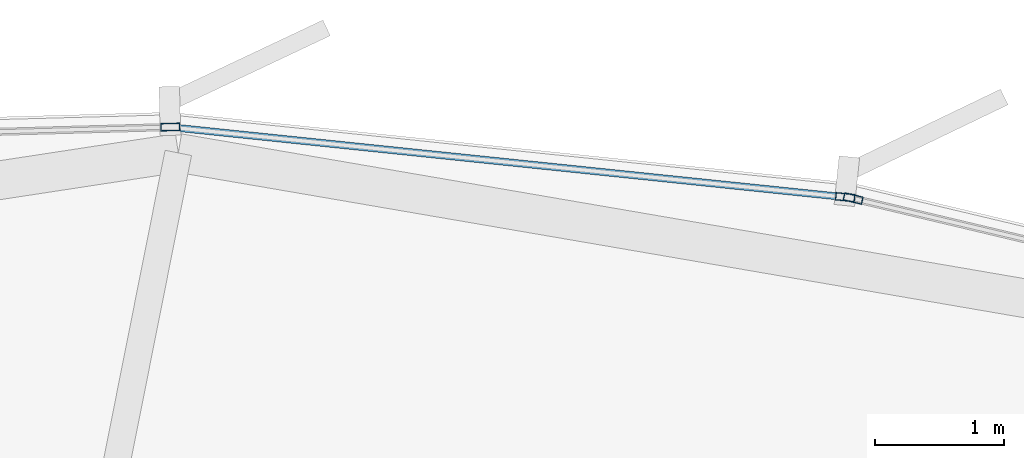
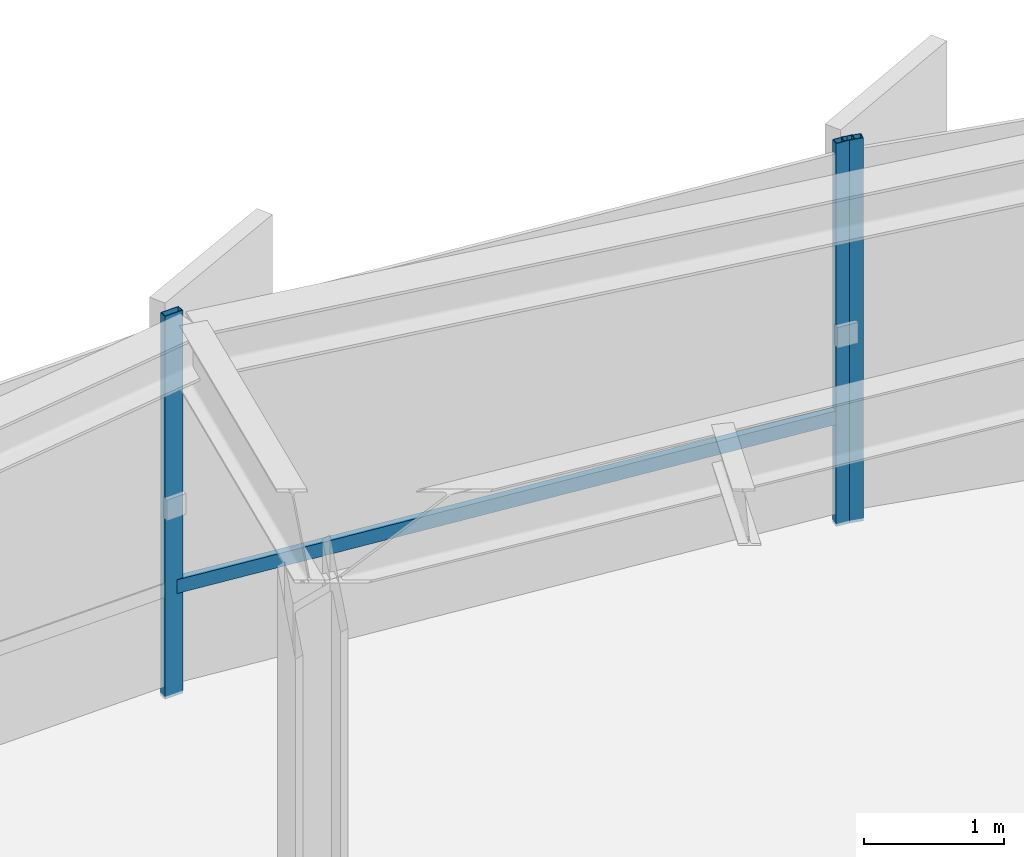
# One storey, part 27 of 35: 4 members, 2 elements without a shape of their own.
"""IFC4 building model written with IfcOpenShell, lengths in metres."""

from ifc_helpers import new_model, si_unit, direction, frame, origin, origin_2d, place, context, subcontext, project, spatial, hollow_rectangle, extrude, source, transform, mapped, material, layer, layer_set, material_profile, profile_set, type_object, element, aggregate, save


model = new_model("IFC4")

# Units and contexts
model_context = context("Model", 3, precision=1e-05, world=origin(), true_north=direction((0.0, 1.0)))
body_context = subcontext(model_context, "Body", "Model", "MODEL_VIEW")
ifc_project = project(units=[si_unit("LENGTHUNIT", "METRE"), si_unit("AREAUNIT", "SQUARE_METRE"), si_unit("VOLUMEUNIT", "CUBIC_METRE"), si_unit("PLANEANGLEUNIT", "RADIAN"), si_unit("MASSUNIT", "GRAM", prefix="KILO"), si_unit("THERMODYNAMICTEMPERATUREUNIT", "KELVIN")], contexts=[model_context])

# Site, building, storey
site_placement = place(None, origin())
site = spatial("IfcSite", under=ifc_project, at=site_placement, CompositionType="ELEMENT")
building_placement = place(site_placement, origin())
building = spatial("IfcBuilding", under=site, at=building_placement, Name="Kethvar Cultural Tower", CompositionType="ELEMENT")
storey_placement = place(building_placement, frame((0.0, 0.0, 89.199951171875)))
storey = spatial("IfcBuildingStorey", under=building, at=storey_placement, Name="L21", CompositionType="ELEMENT", Elevation=89.199951171875)

# Curtain wall, member
ifc_material = material(Name="Aluminium 6063-T6", Category="aluminium")
ifc_layer = layer(ifc_material, 0.179931640625, Name="Aluminium 6063-T6", Category="aluminium")
ifc_layer_set = layer_set([ifc_layer], Name="Aluminium 6063-T6 (180 mm)")
curtain_wall_type = type_object("IfcCurtainWallType", Name="CW-SYS-03-Z2", PredefinedType="NOTDEFINED", material=ifc_layer_set)
curtain_wall_1_placement = place(storey_placement, origin())
curtain_wall_1 = element("IfcCurtainWall", 1, at=curtain_wall_1_placement, inside=storey, type_object=curtain_wall_type, Name="L21 Curtain Wall Run 01", PredefinedType="NOTDEFINED")
ifc_material_profile_1 = material_profile(ifc_material, hollow_rectangle(XDim=0.06005859375, YDim=0.14990234375, WallThickness=0.0048828125, at=origin_2d()), Name="Aluminium 6063-T6 — RHS150x60x5")
ifc_profile_set_1 = profile_set([ifc_material_profile_1], Name="Aluminium 6063-T6 — RHS150x60x5")
member_type_1 = type_object("IfcMemberType", Name="CW-SYS-03-Z2-MUL", PredefinedType="MULLION", material=ifc_profile_set_1)
shared_shape_1 = source(origin(), body_context, "Body", "SweptSolid", [
    extrude(hollow_rectangle(XDim=0.06005859375, YDim=0.14990234375, WallThickness=0.0048828125, at=origin_2d()), origin(), (0.0, 0.0, 1.0), 3.35009765625),
])
member_1_placement = place(storey_placement, frame((56.83544921875, 51.51513671875, 0.0), z_axis=(0.0, 0.0, 1.0), x_axis=(-0.231306447957, -0.972880941911, 0.0)))
member_1 = element("IfcMember", 2, at=member_1_placement, type_object=member_type_1, Name="CW-L21-R01 Mullion 7", PredefinedType="MULLION", context=body_context, shape_type="MappedRepresentation", body=[
    mapped(shared_shape_1, transform((0.0, 0.0, 0.0), scale=1.0)),
])
aggregate(curtain_wall_1, [member_1])

# Curtain wall, members
curtain_wall_2_placement = place(storey_placement, origin())
curtain_wall_2 = element("IfcCurtainWall", 3, at=curtain_wall_2_placement, inside=storey, type_object=curtain_wall_type, Name="L21 Curtain Wall Run 02", PredefinedType="NOTDEFINED")
member_2_placement = place(storey_placement, frame((56.7734375, 51.525634765625, 0.0), z_axis=(0.0, 0.0, 1.0), x_axis=(-0.103191827797, -0.994661473405, 0.0)))
member_2 = element("IfcMember", 4, at=member_2_placement, type_object=member_type_1, Name="CW-L21-R02 Mullion 1", PredefinedType="MULLION", context=body_context, shape_type="MappedRepresentation", body=[
    mapped(shared_shape_1, transform((0.0, 0.0, 0.0), scale=1.0)),
])
member_3_placement = place(storey_placement, frame((51.525634765625, 52.071044921875, 0.0), z_axis=(0.0, 0.0, 1.0), x_axis=(0.027607600571, -0.999618837553, 0.0)))
member_3 = element("IfcMember", 5, at=member_3_placement, type_object=member_type_1, Name="CW-L21-R02 Mullion 2", PredefinedType="MULLION", context=body_context, shape_type="MappedRepresentation", body=[
    mapped(shared_shape_1, transform((0.0, 0.0, 0.0), scale=1.0)),
])
ifc_material_profile_2 = material_profile(ifc_material, hollow_rectangle(XDim=0.054931640625, YDim=0.1201171875, WallThickness=0.00390625, at=origin_2d()), Name="Aluminium 6063-T6 — RHS120x55x4")
ifc_profile_set_2 = profile_set([ifc_material_profile_2], Name="Aluminium 6063-T6 — RHS120x55x4")
member_type_2 = type_object("IfcMemberType", Name="CW-SYS-03-Z2-TRN", PredefinedType="USERDEFINED", material=ifc_profile_set_2)
shared_shape_2 = source(origin(), body_context, "Body", "SweptSolid", [
    extrude(hollow_rectangle(XDim=0.054931640625, YDim=0.1201171875, WallThickness=0.00390625, at=origin_2d()), origin(), (0.0, 0.0, 1.0), 5.243896484375),
])
member_4_placement = place(storey_placement, frame((56.769287109375, 51.526123046875, 0.949951171875), z_axis=(-0.994663492906, 0.103172360058, 0.0), x_axis=(-0.103172360058, -0.994663492906, 0.0)))
member_4 = element("IfcMember", 6, at=member_4_placement, type_object=member_type_2, Name="CW-L21-R02 Transom 1", ObjectType="TRANSOM", PredefinedType="USERDEFINED", context=body_context, shape_type="MappedRepresentation", body=[
    mapped(shared_shape_2, transform((0.0, 0.0, 0.0), scale=1.0)),
])
aggregate(curtain_wall_2, [member_2, member_3, member_4])

save(model, "model.ifc")
